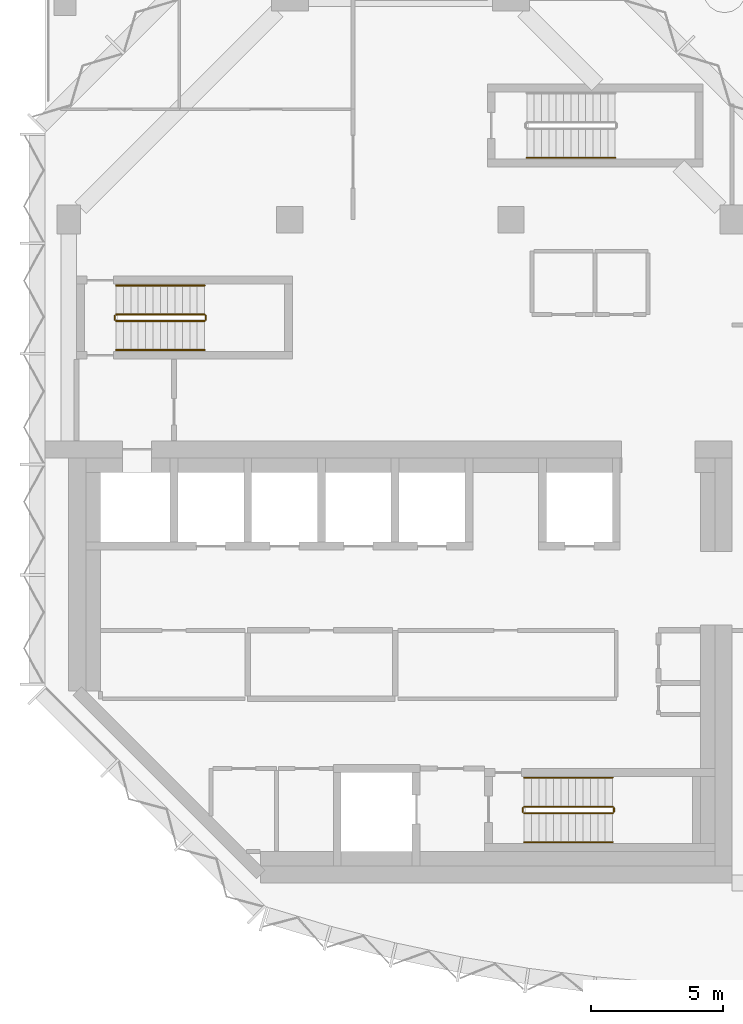
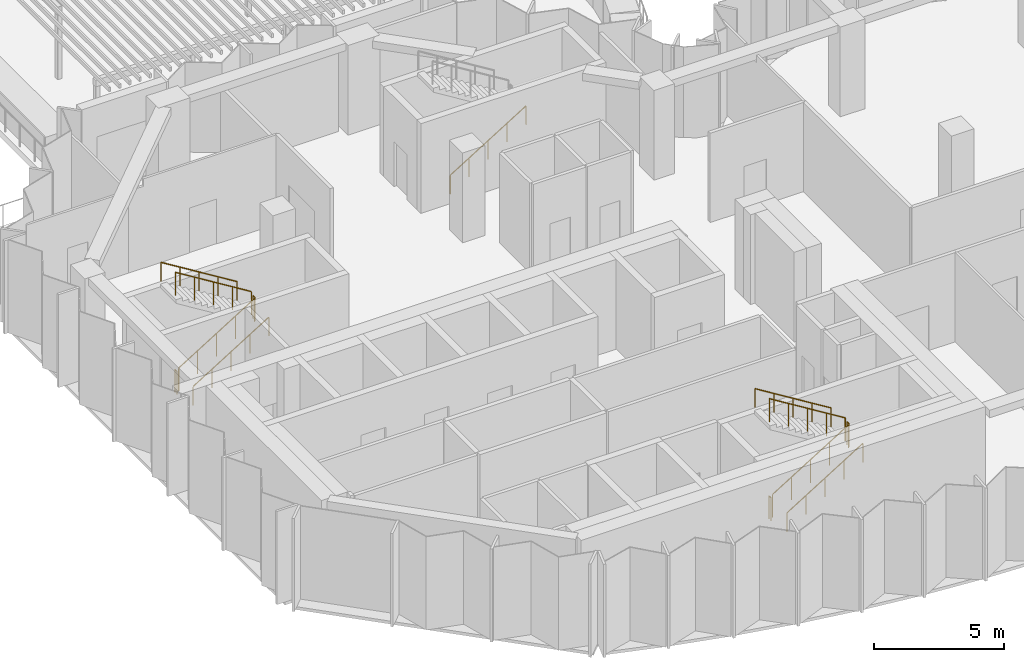
# One storey, part 12 of 15: 13 railings.
"""IFC4 building model written with IfcOpenShell, lengths in metres."""

from ifc_helpers import new_model, si_unit, direction, frame, origin, origin_2d, place, context, subcontext, project, spatial, circle, extrude, material, type_object, element, save


model = new_model("IFC4")

# Units and contexts
model_context = context("Model", 3, precision=1e-05, world=origin(), true_north=direction((0.0, 1.0)))
body_context = subcontext(model_context, "Body", "Model", "MODEL_VIEW")
ifc_project = project(units=[si_unit("LENGTHUNIT", "METRE"), si_unit("AREAUNIT", "SQUARE_METRE"), si_unit("VOLUMEUNIT", "CUBIC_METRE"), si_unit("PLANEANGLEUNIT", "RADIAN"), si_unit("MASSUNIT", "GRAM", prefix="KILO")], contexts=[model_context])

# Site, building, storey
site_placement = place(None, origin())
site = spatial("IfcSite", under=ifc_project, at=site_placement, CompositionType="ELEMENT")
building_placement = place(site_placement, origin())
building = spatial("IfcBuilding", under=site, at=building_placement, Name="Brevane Broadcast Tower", CompositionType="ELEMENT")
storey_placement = place(building_placement, frame((0.0, 0.0, 206.39990234375)))
storey = spatial("IfcBuildingStorey", under=building, at=storey_placement, Name="L52", CompositionType="ELEMENT", Elevation=206.39990234375)

# Railings
ifc_material = material(Name="Steel S355", Category="steel")
railing_type_1 = type_object("IfcRailingType", Name="Exit stair guard", PredefinedType="GUARDRAIL", material=ifc_material)
railing_1_placement = place(storey_placement, frame((1.800048828125, 21.35009765625, 0.173095703125)))
element("IfcRailing", 1, at=railing_1_placement, inside=storey, type_object=railing_type_1, Name="L52 ST-1 stair guard 1", PredefinedType="GUARDRAIL", context=body_context, shape_type="SweptSolid", body=[
    extrude(circle(Radius=0.02392578125, at=origin_2d()), frame((0.0, 0.0, 1.076171875), z_axis=(0.850606129759, 0.0, 0.525803396734), x_axis=(0.0, 1.0, 0.0)), (0.0, 0.0, 1.0), 3.949951171875),
    extrude(circle(Radius=0.02099609375, at=origin_2d()), origin(), (0.0, 0.0, 1.0), 1.052001953125),
    extrude(circle(Radius=0.02099609375, at=origin_2d()), frame((0.83984375, 0.0, 0.519287109375)), (0.0, 0.0, 1.0), 1.052001953125),
    extrude(circle(Radius=0.02099609375, at=origin_2d()), frame((1.679931640625, 0.0, 1.03857421875)), (0.0, 0.0, 1.0), 1.052001953125),
    extrude(circle(Radius=0.02099609375, at=origin_2d()), frame((2.52001953125, 0.0, 1.5576171875)), (0.0, 0.0, 1.0), 1.052001953125),
    extrude(circle(Radius=0.02099609375, at=origin_2d()), frame((3.35986328125, 0.0, 2.076904296875)), (0.0, 0.0, 1.0), 1.052001953125),
])
railing_2_placement = place(storey_placement, frame((5.2099609375, 21.39990234375, 2.25)))
element("IfcRailing", 2, at=railing_2_placement, inside=storey, type_object=railing_type_1, Name="L52 ST-1 stair guard 2", PredefinedType="GUARDRAIL", context=body_context, shape_type="SweptSolid", body=[
    extrude(circle(Radius=0.02392578125, at=origin_2d()), frame((0.0, 0.0, 1.076171875), z_axis=(0.0, 1.0, 0.0), x_axis=(-1.0, 0.0, 0.0)), (0.0, 0.0, 1.0), 0.150146484375),
    extrude(circle(Radius=0.02099609375, at=origin_2d()), origin(), (0.0, 0.0, 1.0), 1.052001953125),
    extrude(circle(Radius=0.02099609375, at=origin_2d()), frame((0.0, 0.150146484375, 0.0)), (0.0, 0.0, 1.0), 1.052001953125),
])
railing_3_placement = place(storey_placement, frame((5.159912109375, 21.60009765625, 2.423095703125)))
element("IfcRailing", 3, at=railing_3_placement, inside=storey, type_object=railing_type_1, Name="L52 ST-1 stair guard 3", PredefinedType="GUARDRAIL", context=body_context, shape_type="SweptSolid", body=[
    extrude(circle(Radius=0.02392578125, at=origin_2d()), frame((0.0, 0.0, 1.076171875), z_axis=(-0.850606129759, 0.0, 0.525803396734), x_axis=(0.0, -1.0, 0.0)), (0.0, 0.0, 1.0), 3.949951171875),
    extrude(circle(Radius=0.02099609375, at=origin_2d()), origin(), (0.0, 0.0, 1.0), 1.052001953125),
    extrude(circle(Radius=0.02099609375, at=origin_2d()), frame((-0.83984375, 0.0, 0.519287109375)), (0.0, 0.0, 1.0), 1.052001953125),
    extrude(circle(Radius=0.02099609375, at=origin_2d()), frame((-1.679931640625, 0.0, 1.03857421875)), (0.0, 0.0, 1.0), 1.052001953125),
    extrude(circle(Radius=0.02099609375, at=origin_2d()), frame((-2.52001953125, 0.0, 1.5576171875)), (0.0, 0.0, 1.0), 1.052001953125),
    extrude(circle(Radius=0.02099609375, at=origin_2d()), frame((-3.35986328125, 0.0, 2.076904296875)), (0.0, 0.0, 1.0), 1.052001953125),
])
railing_4_placement = place(storey_placement, frame((1.75, 21.39990234375, 0.0)))
element("IfcRailing", 4, at=railing_4_placement, inside=storey, type_object=railing_type_1, Name="L52 ST-1 stair guard 4", PredefinedType="GUARDRAIL", context=body_context, shape_type="SweptSolid", body=[
    extrude(circle(Radius=0.02392578125, at=origin_2d()), frame((0.0, 0.0, 1.076171875), z_axis=(0.0, 1.0, 0.0), x_axis=(-1.0, 0.0, 0.0)), (0.0, 0.0, 1.0), 0.150146484375),
    extrude(circle(Radius=0.02099609375, at=origin_2d()), origin(), (0.0, 0.0, 1.0), 1.052001953125),
    extrude(circle(Radius=0.02099609375, at=origin_2d()), frame((0.0, 0.150146484375, 0.0)), (0.0, 0.0, 1.0), 1.052001953125),
])
railing_5_placement = place(storey_placement, frame((17.300048828125, 2.64990234375, 0.173095703125)))
element("IfcRailing", 5, at=railing_5_placement, inside=storey, type_object=railing_type_1, Name="L52 ST-2 stair guard 1", PredefinedType="GUARDRAIL", context=body_context, shape_type="SweptSolid", body=[
    extrude(circle(Radius=0.02392578125, at=origin_2d()), frame((0.0, 0.0, 1.076171875), z_axis=(0.850606129759, 0.0, 0.525803396734), x_axis=(0.0, 1.0, 0.0)), (0.0, 0.0, 1.0), 3.949951171875),
    extrude(circle(Radius=0.02099609375, at=origin_2d()), origin(), (0.0, 0.0, 1.0), 1.052001953125),
    extrude(circle(Radius=0.02099609375, at=origin_2d()), frame((0.83984375, 0.0, 0.519287109375)), (0.0, 0.0, 1.0), 1.052001953125),
    extrude(circle(Radius=0.02099609375, at=origin_2d()), frame((1.679931640625, 0.0, 1.03857421875)), (0.0, 0.0, 1.0), 1.052001953125),
    extrude(circle(Radius=0.02099609375, at=origin_2d()), frame((2.52001953125, 0.0, 1.5576171875)), (0.0, 0.0, 1.0), 1.052001953125),
    extrude(circle(Radius=0.02099609375, at=origin_2d()), frame((3.35986328125, 0.0, 2.076904296875)), (0.0, 0.0, 1.0), 1.052001953125),
])
railing_6_placement = place(storey_placement, frame((20.7099609375, 2.699951171875, 2.25)))
element("IfcRailing", 6, at=railing_6_placement, inside=storey, type_object=railing_type_1, Name="L52 ST-2 stair guard 2", PredefinedType="GUARDRAIL", context=body_context, shape_type="SweptSolid", body=[
    extrude(circle(Radius=0.02392578125, at=origin_2d()), frame((0.0, 0.0, 1.076171875), z_axis=(0.0, 1.0, 0.0), x_axis=(-1.0, 0.0, 0.0)), (0.0, 0.0, 1.0), 0.150146484375),
    extrude(circle(Radius=0.02099609375, at=origin_2d()), origin(), (0.0, 0.0, 1.0), 1.052001953125),
    extrude(circle(Radius=0.02099609375, at=origin_2d()), frame((0.0, 0.150146484375, 0.0)), (0.0, 0.0, 1.0), 1.052001953125),
])
railing_7_placement = place(storey_placement, frame((20.659912109375, 2.89990234375, 2.423095703125)))
element("IfcRailing", 7, at=railing_7_placement, inside=storey, type_object=railing_type_1, Name="L52 ST-2 stair guard 3", PredefinedType="GUARDRAIL", context=body_context, shape_type="SweptSolid", body=[
    extrude(circle(Radius=0.02392578125, at=origin_2d()), frame((0.0, 0.0, 1.076171875), z_axis=(-0.850606129759, 0.0, 0.525803396734), x_axis=(0.0, -1.0, 0.0)), (0.0, 0.0, 1.0), 3.949951171875),
    extrude(circle(Radius=0.02099609375, at=origin_2d()), origin(), (0.0, 0.0, 1.0), 1.052001953125),
    extrude(circle(Radius=0.02099609375, at=origin_2d()), frame((-0.83984375, 0.0, 0.519287109375)), (0.0, 0.0, 1.0), 1.052001953125),
    extrude(circle(Radius=0.02099609375, at=origin_2d()), frame((-1.679931640625, 0.0, 1.03857421875)), (0.0, 0.0, 1.0), 1.052001953125),
    extrude(circle(Radius=0.02099609375, at=origin_2d()), frame((-2.52001953125, 0.0, 1.5576171875)), (0.0, 0.0, 1.0), 1.052001953125),
    extrude(circle(Radius=0.02099609375, at=origin_2d()), frame((-3.35986328125, 0.0, 2.076904296875)), (0.0, 0.0, 1.0), 1.052001953125),
])
railing_8_placement = place(storey_placement, frame((17.25, 2.699951171875, 0.0)))
element("IfcRailing", 8, at=railing_8_placement, inside=storey, type_object=railing_type_1, Name="L52 ST-2 stair guard 4", PredefinedType="GUARDRAIL", context=body_context, shape_type="SweptSolid", body=[
    extrude(circle(Radius=0.02392578125, at=origin_2d()), frame((0.0, 0.0, 1.076171875), z_axis=(0.0, 1.0, 0.0), x_axis=(-1.0, 0.0, 0.0)), (0.0, 0.0, 1.0), 0.150146484375),
    extrude(circle(Radius=0.02099609375, at=origin_2d()), origin(), (0.0, 0.0, 1.0), 1.052001953125),
    extrude(circle(Radius=0.02099609375, at=origin_2d()), frame((0.0, 0.150146484375, 0.0)), (0.0, 0.0, 1.0), 1.052001953125),
])
railing_type_2 = type_object("IfcRailingType", Name="Exit stair handrail", PredefinedType="HANDRAIL", material=ifc_material)
railing_9_placement = place(storey_placement, frame((1.800048828125, 20.25, 0.173095703125)))
element("IfcRailing", 9, at=railing_9_placement, inside=storey, type_object=railing_type_2, Name="L52 ST-1 stair handrail 1", PredefinedType="HANDRAIL", context=body_context, shape_type="SweptSolid", body=[
    extrude(circle(Radius=0.02392578125, at=origin_2d()), frame((0.0, 0.0, 0.8759765625), z_axis=(0.850606129759, 0.0, 0.525803396734), x_axis=(0.0, 1.0, 0.0)), (0.0, 0.0, 1.0), 3.949951171875),
    extrude(circle(Radius=0.02099609375, at=origin_2d()), origin(), (0.0, 0.0, 1.0), 0.851806640625),
    extrude(circle(Radius=0.02099609375, at=origin_2d()), frame((0.83984375, 0.0, 0.519287109375)), (0.0, 0.0, 1.0), 0.851806640625),
    extrude(circle(Radius=0.02099609375, at=origin_2d()), frame((1.679931640625, 0.0, 1.03857421875)), (0.0, 0.0, 1.0), 0.851806640625),
    extrude(circle(Radius=0.02099609375, at=origin_2d()), frame((2.52001953125, 0.0, 1.5576171875)), (0.0, 0.0, 1.0), 0.851806640625),
    extrude(circle(Radius=0.02099609375, at=origin_2d()), frame((3.35986328125, 0.0, 2.076904296875)), (0.0, 0.0, 1.0), 0.851806640625),
])
railing_10_placement = place(storey_placement, frame((5.159912109375, 22.699951171875, 2.423095703125)))
element("IfcRailing", 10, at=railing_10_placement, inside=storey, type_object=railing_type_2, Name="L52 ST-1 stair handrail 2", PredefinedType="HANDRAIL", context=body_context, shape_type="SweptSolid", body=[
    extrude(circle(Radius=0.02392578125, at=origin_2d()), frame((0.0, 0.0, 0.8759765625), z_axis=(-0.850606129759, 0.0, 0.525803396734), x_axis=(0.0, -1.0, 0.0)), (0.0, 0.0, 1.0), 3.949951171875),
    extrude(circle(Radius=0.02099609375, at=origin_2d()), origin(), (0.0, 0.0, 1.0), 0.851806640625),
    extrude(circle(Radius=0.02099609375, at=origin_2d()), frame((-0.83984375, 0.0, 0.519287109375)), (0.0, 0.0, 1.0), 0.851806640625),
    extrude(circle(Radius=0.02099609375, at=origin_2d()), frame((-1.679931640625, 0.0, 1.03857421875)), (0.0, 0.0, 1.0), 0.851806640625),
    extrude(circle(Radius=0.02099609375, at=origin_2d()), frame((-2.52001953125, 0.0, 1.5576171875)), (0.0, 0.0, 1.0), 0.851806640625),
    extrude(circle(Radius=0.02099609375, at=origin_2d()), frame((-3.35986328125, 0.0, 2.076904296875)), (0.0, 0.0, 1.0), 0.851806640625),
])
railing_11_placement = place(storey_placement, frame((17.300048828125, 1.550048828125, 0.173095703125)))
element("IfcRailing", 11, at=railing_11_placement, inside=storey, type_object=railing_type_2, Name="L52 ST-2 stair handrail 1", PredefinedType="HANDRAIL", context=body_context, shape_type="SweptSolid", body=[
    extrude(circle(Radius=0.02392578125, at=origin_2d()), frame((0.0, 0.0, 0.8759765625), z_axis=(0.850606129759, 0.0, 0.525803396734), x_axis=(0.0, 1.0, 0.0)), (0.0, 0.0, 1.0), 3.949951171875),
    extrude(circle(Radius=0.02099609375, at=origin_2d()), origin(), (0.0, 0.0, 1.0), 0.851806640625),
    extrude(circle(Radius=0.02099609375, at=origin_2d()), frame((0.83984375, 0.0, 0.519287109375)), (0.0, 0.0, 1.0), 0.851806640625),
    extrude(circle(Radius=0.02099609375, at=origin_2d()), frame((1.679931640625, 0.0, 1.03857421875)), (0.0, 0.0, 1.0), 0.851806640625),
    extrude(circle(Radius=0.02099609375, at=origin_2d()), frame((2.52001953125, 0.0, 1.5576171875)), (0.0, 0.0, 1.0), 0.851806640625),
    extrude(circle(Radius=0.02099609375, at=origin_2d()), frame((3.35986328125, 0.0, 2.076904296875)), (0.0, 0.0, 1.0), 0.851806640625),
])
railing_12_placement = place(storey_placement, frame((20.659912109375, 4.0, 2.423095703125)))
element("IfcRailing", 12, at=railing_12_placement, inside=storey, type_object=railing_type_2, Name="L52 ST-2 stair handrail 2", PredefinedType="HANDRAIL", context=body_context, shape_type="SweptSolid", body=[
    extrude(circle(Radius=0.02392578125, at=origin_2d()), frame((0.0, 0.0, 0.8759765625), z_axis=(-0.850606129759, 0.0, 0.525803396734), x_axis=(0.0, -1.0, 0.0)), (0.0, 0.0, 1.0), 3.949951171875),
    extrude(circle(Radius=0.02099609375, at=origin_2d()), origin(), (0.0, 0.0, 1.0), 0.851806640625),
    extrude(circle(Radius=0.02099609375, at=origin_2d()), frame((-0.83984375, 0.0, 0.519287109375)), (0.0, 0.0, 1.0), 0.851806640625),
    extrude(circle(Radius=0.02099609375, at=origin_2d()), frame((-1.679931640625, 0.0, 1.03857421875)), (0.0, 0.0, 1.0), 0.851806640625),
    extrude(circle(Radius=0.02099609375, at=origin_2d()), frame((-2.52001953125, 0.0, 1.5576171875)), (0.0, 0.0, 1.0), 0.851806640625),
    extrude(circle(Radius=0.02099609375, at=origin_2d()), frame((-3.35986328125, 0.0, 2.076904296875)), (0.0, 0.0, 1.0), 0.851806640625),
])
railing_13_placement = place(storey_placement, frame((17.39990234375, 27.550048828125, 0.173095703125)))
element("IfcRailing", 13, at=railing_13_placement, inside=storey, type_object=railing_type_2, Name="L52 ST-3 stair handrail 1", PredefinedType="HANDRAIL", context=body_context, shape_type="SweptSolid", body=[
    extrude(circle(Radius=0.02392578125, at=origin_2d()), frame((0.0, 0.0, 0.8759765625), z_axis=(0.850623216509, 0.0, 0.525775754039), x_axis=(0.0, 1.0, 0.0)), (0.0, 0.0, 1.0), 3.9501953125),
    extrude(circle(Radius=0.02099609375, at=origin_2d()), origin(), (0.0, 0.0, 1.0), 0.851806640625),
    extrude(circle(Radius=0.02099609375, at=origin_2d()), frame((0.840087890625, 0.0, 0.519287109375)), (0.0, 0.0, 1.0), 0.851806640625),
    extrude(circle(Radius=0.02099609375, at=origin_2d()), frame((1.68017578125, 0.0, 1.03857421875)), (0.0, 0.0, 1.0), 0.851806640625),
    extrude(circle(Radius=0.02099609375, at=origin_2d()), frame((2.52001953125, 0.0, 1.5576171875)), (0.0, 0.0, 1.0), 0.851806640625),
    extrude(circle(Radius=0.02099609375, at=origin_2d()), frame((3.360107421875, 0.0, 2.076904296875)), (0.0, 0.0, 1.0), 0.851806640625),
])

save(model, "model.ifc")
